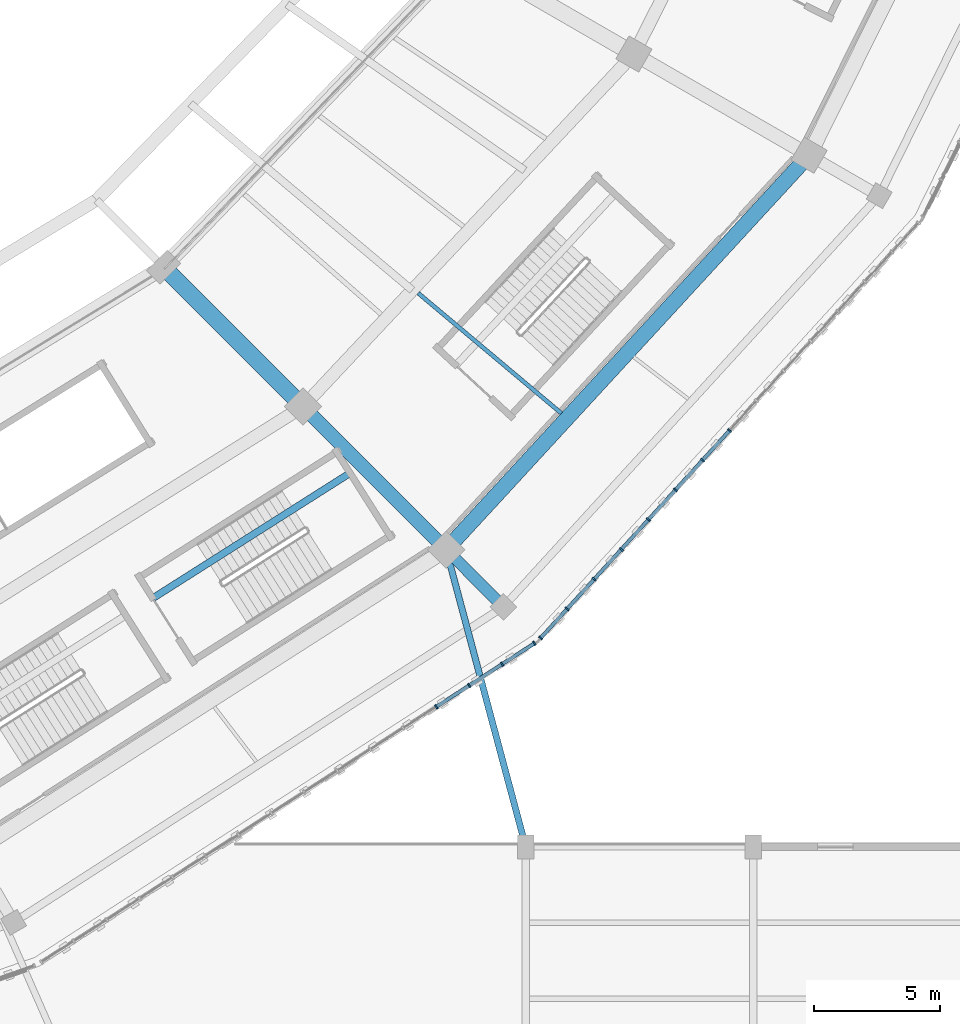
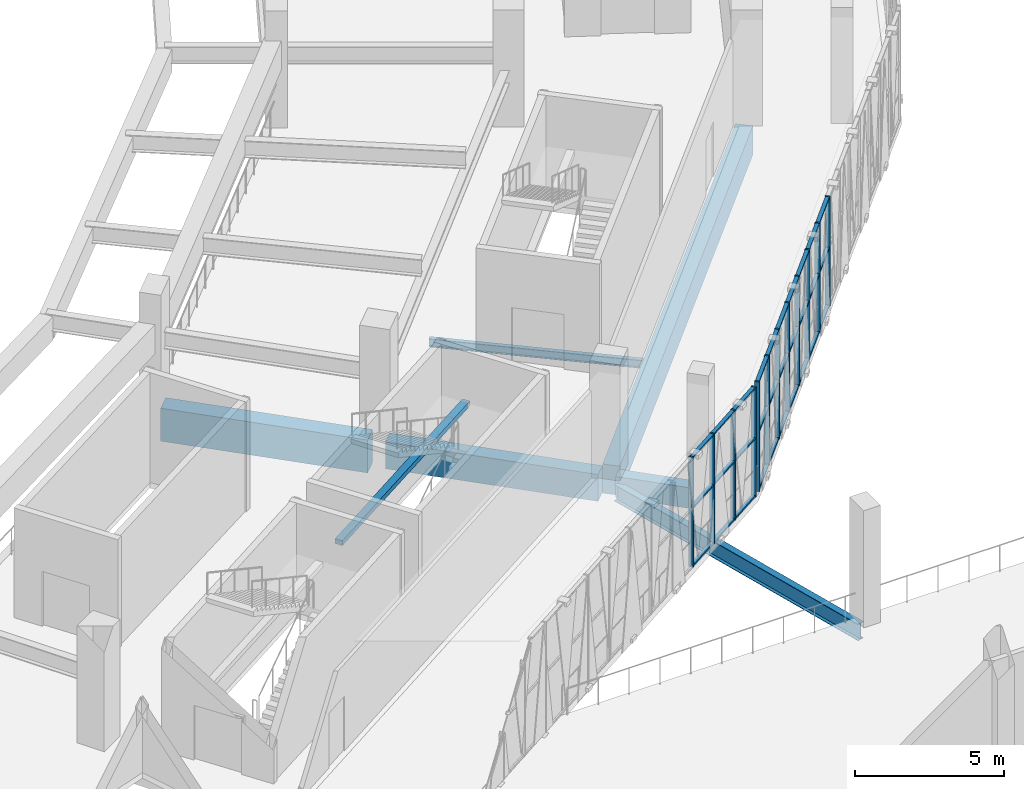
# One storey, part 33 of 179: 42 members, 7 beams, 2 elements without a shape of their own.
"""IFC4 building model written with IfcOpenShell, lengths in metres."""

from ifc_helpers import new_model, si_unit, direction, frame, origin, origin_2d, place, context, subcontext, project, spatial, rectangle, i_section, extrude, material, material_profile, profile_set, type_object, element, aggregate, save


model = new_model("IFC4")

# Units and contexts
model_context = context("Model", 3, precision=1e-05, world=origin(), true_north=direction((0.0, 1.0)))
body_context = subcontext(model_context, "Body", "Model", "MODEL_VIEW")
ifc_project = project(units=[si_unit("LENGTHUNIT", "METRE"), si_unit("AREAUNIT", "SQUARE_METRE"), si_unit("VOLUMEUNIT", "CUBIC_METRE"), si_unit("PLANEANGLEUNIT", "RADIAN"), si_unit("MASSUNIT", "GRAM", prefix="KILO")], contexts=[model_context])

# Site, building, storey
site_placement = place(None, origin())
site = spatial("IfcSite", under=ifc_project, at=site_placement, CompositionType="ELEMENT")
building_placement = place(site_placement, origin())
building = spatial("IfcBuilding", under=site, at=building_placement, Name="Zevraka Park Crest Stadium", CompositionType="ELEMENT")
storey_placement = place(building_placement, frame((0.0, 0.0, 10.199951171875)))
storey = spatial("IfcBuildingStorey", under=building, at=storey_placement, Name="L02", CompositionType="ELEMENT", Elevation=10.199951171875)

# Beams
ifc_material_1 = material(Name="Concrete C40/50", Category="concrete")
ifc_material_profile_1 = material_profile(ifc_material_1, rectangle(XDim=0.64990234375, YDim=1.35009765625, at=origin_2d()), Name="RC 1350x650")
ifc_profile_set_1 = profile_set([ifc_material_profile_1], Name="Concrete C40/50")
beam_type_1 = type_object("IfcBeamType", Name="BG01", PredefinedType="BEAM", material=ifc_profile_set_1)
beam_1_placement = place(storey_placement, frame((164.89111328125, 49.715087890625, -0.68505859375), z_axis=(0.707157639372, -0.707055919343, 0.0), x_axis=(0.707055919343, 0.707157639372, 0.0)))
element("IfcBeam", 1, at=beam_1_placement, inside=storey, type_object=beam_type_1, Name="Radial Girder BG01 L02-BC-21", PredefinedType="BEAM", context=body_context, shape_type="SweptSolid", body=[
    extrude(rectangle(XDim=0.64990234375, YDim=1.35009765625, at=origin_2d()), origin(), (0.0, 0.0, 1.0), 7.200439453125),
])
ifc_material_2 = material(Name="Concrete C40/50", Category="concrete")
ifc_material_profile_2 = material_profile(ifc_material_2, rectangle(XDim=0.550048828125, YDim=1.10009765625, at=origin_2d()), Name="RC 1100x550")
ifc_profile_set_2 = profile_set([ifc_material_profile_2], Name="Concrete C40/50")
beam_type_2 = type_object("IfcBeamType", Name="BG02", PredefinedType="BEAM", material=ifc_profile_set_2)
beam_2_placement = place(storey_placement, frame((170.406982421875, 44.199951171875, -0.56005859375), z_axis=(0.707106781187, -0.707106781187, 0.0), x_axis=(0.707106781187, 0.707106781187, 0.0)))
element("IfcBeam", 2, at=beam_2_placement, inside=storey, type_object=beam_type_2, Name="Radial Girder BG02 L02-CD-21", PredefinedType="BEAM", context=body_context, shape_type="SweptSolid", body=[
    extrude(rectangle(XDim=0.550048828125, YDim=1.10009765625, at=origin_2d()), origin(), (0.0, 0.0, 1.0), 7.400390625),
])
ifc_material_3 = material(Name="Concrete C40/50", Category="concrete")
ifc_material_profile_3 = material_profile(ifc_material_3, rectangle(XDim=0.449951171875, YDim=0.85009765625, at=origin_2d()), Name="RC 850x450")
ifc_profile_set_3 = profile_set([ifc_material_profile_3], Name="Concrete C40/50")
beam_type_3 = type_object("IfcBeamType", Name="BG03", PredefinedType="BEAM", material=ifc_profile_set_3)
beam_3_placement = place(storey_placement, frame((176.06396484375, 38.54296875, -0.43505859375), z_axis=(0.706965918589, -0.707247615728, 0.0), x_axis=(0.707247615728, 0.706965918589, 0.0)))
element("IfcBeam", 3, at=beam_3_placement, inside=storey, type_object=beam_type_3, Name="Radial Girder BG03 L02-DE-21", PredefinedType="BEAM", context=body_context, shape_type="SweptSolid", body=[
    extrude(rectangle(XDim=0.449951171875, YDim=0.85009765625, at=origin_2d()), origin(), (0.0, 0.0, 1.0), 2.60009765625),
])
ifc_material_4 = material(Name="Steel S355", Category="steel")
ifc_material_profile_4 = material_profile(ifc_material_4, i_section(OverallWidth=0.253662109375, OverallDepth=0.68359375, WebThickness=0.012451171875, FlangeThickness=0.01904296875, at=origin_2d()), Name="UKB 686x254x140")
ifc_profile_set_4 = profile_set([ifc_material_profile_4], Name="Steel S355")
beam_type_4 = type_object("IfcBeamType", Name="BG05", PredefinedType="BEAM", material=ifc_profile_set_4)
beam_4_placement = place(storey_placement, frame((178.947998046875, 27.193115234375, -0.629638671875), z_axis=(-0.25869045552, 0.96596027259, 0.0), x_axis=(-0.96596027259, -0.25869045552, 0.0)))
element("IfcBeam", 4, at=beam_4_placement, inside=storey, type_object=beam_type_4, Name="Wing Link Girder BG05 L02-20/D", PredefinedType="BEAM", context=body_context, shape_type="SweptSolid", body=[
    extrude(i_section(OverallWidth=0.253662109375, OverallDepth=0.68359375, WebThickness=0.012451171875, FlangeThickness=0.01904296875, at=origin_2d()), origin(), (0.0, 0.0, 1.0), 11.58935546875),
])

# Curtain wall, members
ifc_material_5 = material(Name="Anodised architectural aluminium and laminated safety glass", Category="aluminium")
curtain_wall_type = type_object("IfcCurtainWallType", Name="CW08", PredefinedType="NOTDEFINED", material=ifc_material_5)
curtain_wall_1_placement = place(storey_placement, origin())
curtain_wall_1 = element("IfcCurtainWall", 5, at=curtain_wall_1_placement, inside=storey, type_object=curtain_wall_type, Name="Unitised Ring Curtain Wall CW08 L02-20", PredefinedType="NOTDEFINED")
ifc_material_6 = material(Name="Anodised architectural aluminium", Category="aluminium")
ifc_material_profile_5 = material_profile(ifc_material_6, rectangle(XDim=0.179931640625, YDim=0.06494140625, at=origin_2d()), Name="ALU MULLION 180x65")
ifc_profile_set_5 = profile_set([ifc_material_profile_5], Name="Anodised architectural aluminium")
member_type_1 = type_object("IfcMemberType", Name="CM02", PredefinedType="MULLION", material=ifc_profile_set_5)
member_1_placement = place(storey_placement, frame((175.459228515625, 32.540771484375, 0.0), z_axis=(0.0, 0.0, 1.0), x_axis=(-0.543096287444, 0.839670424967, 0.0)))
member_1 = element("IfcMember", 6, at=member_1_placement, type_object=member_type_1, Name="CW08 mullion 13", PredefinedType="MULLION", context=body_context, shape_type="SweptSolid", body=[
    extrude(rectangle(XDim=0.179931640625, YDim=0.06494140625, at=origin_2d()), origin(), (0.0, 0.0, 1.0), 4.5),
])
member_2_placement = place(storey_placement, frame((176.76220703125, 33.383544921875, 0.0), z_axis=(0.0, 0.0, 1.0), x_axis=(-0.543096287444, 0.839670424967, 0.0)))
member_2 = element("IfcMember", 7, at=member_2_placement, type_object=member_type_1, Name="CW08 mullion 14", PredefinedType="MULLION", context=body_context, shape_type="SweptSolid", body=[
    extrude(rectangle(XDim=0.179931640625, YDim=0.06494140625, at=origin_2d()), origin(), (0.0, 0.0, 1.0), 4.5),
])
member_3_placement = place(storey_placement, frame((178.065185546875, 34.226318359375, 0.0), z_axis=(0.0, 0.0, 1.0), x_axis=(-0.543096287444, 0.839670424967, 0.0)))
member_3 = element("IfcMember", 8, at=member_3_placement, type_object=member_type_1, Name="CW08 mullion 15", PredefinedType="MULLION", context=body_context, shape_type="SweptSolid", body=[
    extrude(rectangle(XDim=0.179931640625, YDim=0.06494140625, at=origin_2d()), origin(), (0.0, 0.0, 1.0), 4.5),
])
member_4_placement = place(storey_placement, frame((179.3408203125, 35.05126953125, 0.0), z_axis=(0.0, 0.0, 1.0), x_axis=(-0.543096287444, 0.839670424967, 0.0)))
member_4 = element("IfcMember", 9, at=member_4_placement, type_object=member_type_1, Name="CW08 mullion 16", PredefinedType="MULLION", context=body_context, shape_type="SweptSolid", body=[
    extrude(rectangle(XDim=0.179931640625, YDim=0.06494140625, at=origin_2d()), origin(), (0.0, 0.0, 1.0), 4.5),
])

curtain_wall_2_placement = place(storey_placement, origin())
curtain_wall_2 = element("IfcCurtainWall", 10, at=curtain_wall_2_placement, inside=storey, type_object=curtain_wall_type, Name="Unitised Ring Curtain Wall CW08 L02-21", PredefinedType="NOTDEFINED")
member_5_placement = place(storey_placement, frame((179.5859375, 35.259033203125, 0.0), z_axis=(0.0, 0.0, 1.0), x_axis=(-0.739496877097, 0.673159987494, 0.0)))
member_5 = element("IfcMember", 11, at=member_5_placement, type_object=member_type_1, Name="CW08 mullion 1", PredefinedType="MULLION", context=body_context, shape_type="SweptSolid", body=[
    extrude(rectangle(XDim=0.179931640625, YDim=0.06494140625, at=origin_2d()), origin(), (0.0, 0.0, 1.0), 4.5),
])
member_6_placement = place(storey_placement, frame((180.634521484375, 36.4111328125, 0.0), z_axis=(0.0, 0.0, 1.0), x_axis=(-0.739496877097, 0.673159987494, 0.0)))
member_6 = element("IfcMember", 12, at=member_6_placement, type_object=member_type_1, Name="CW08 mullion 2", PredefinedType="MULLION", context=body_context, shape_type="SweptSolid", body=[
    extrude(rectangle(XDim=0.179931640625, YDim=0.06494140625, at=origin_2d()), origin(), (0.0, 0.0, 1.0), 4.5),
])
member_7_placement = place(storey_placement, frame((181.705078125, 37.587158203125, 0.0), z_axis=(0.0, 0.0, 1.0), x_axis=(-0.739496877097, 0.673159987494, 0.0)))
member_7 = element("IfcMember", 13, at=member_7_placement, type_object=member_type_1, Name="CW08 mullion 3", PredefinedType="MULLION", context=body_context, shape_type="SweptSolid", body=[
    extrude(rectangle(XDim=0.179931640625, YDim=0.06494140625, at=origin_2d()), origin(), (0.0, 0.0, 1.0), 4.5),
])
member_8_placement = place(storey_placement, frame((182.775634765625, 38.76318359375, 0.0), z_axis=(0.0, 0.0, 1.0), x_axis=(-0.739496877097, 0.673159987494, 0.0)))
member_8 = element("IfcMember", 14, at=member_8_placement, type_object=member_type_1, Name="CW08 mullion 4", PredefinedType="MULLION", context=body_context, shape_type="SweptSolid", body=[
    extrude(rectangle(XDim=0.179931640625, YDim=0.06494140625, at=origin_2d()), origin(), (0.0, 0.0, 1.0), 4.5),
])
member_9_placement = place(storey_placement, frame((183.84619140625, 39.939208984375, 0.0), z_axis=(0.0, 0.0, 1.0), x_axis=(-0.739496877097, 0.673159987494, 0.0)))
member_9 = element("IfcMember", 15, at=member_9_placement, type_object=member_type_1, Name="CW08 mullion 5", PredefinedType="MULLION", context=body_context, shape_type="SweptSolid", body=[
    extrude(rectangle(XDim=0.179931640625, YDim=0.06494140625, at=origin_2d()), origin(), (0.0, 0.0, 1.0), 4.5),
])
member_10_placement = place(storey_placement, frame((184.916748046875, 41.115478515625, 0.0), z_axis=(0.0, 0.0, 1.0), x_axis=(-0.739496877097, 0.673159987494, 0.0)))
member_10 = element("IfcMember", 16, at=member_10_placement, type_object=member_type_1, Name="CW08 mullion 6", PredefinedType="MULLION", context=body_context, shape_type="SweptSolid", body=[
    extrude(rectangle(XDim=0.179931640625, YDim=0.06494140625, at=origin_2d()), origin(), (0.0, 0.0, 1.0), 4.5),
])
member_11_placement = place(storey_placement, frame((185.987548828125, 42.29150390625, 0.0), z_axis=(0.0, 0.0, 1.0), x_axis=(-0.739496877097, 0.673159987494, 0.0)))
member_11 = element("IfcMember", 17, at=member_11_placement, type_object=member_type_1, Name="CW08 mullion 7", PredefinedType="MULLION", context=body_context, shape_type="SweptSolid", body=[
    extrude(rectangle(XDim=0.179931640625, YDim=0.06494140625, at=origin_2d()), origin(), (0.0, 0.0, 1.0), 4.5),
])
member_12_placement = place(storey_placement, frame((187.05810546875, 43.467529296875, 0.0), z_axis=(0.0, 0.0, 1.0), x_axis=(-0.739496877097, 0.673159987494, 0.0)))
member_12 = element("IfcMember", 18, at=member_12_placement, type_object=member_type_1, Name="CW08 mullion 8", PredefinedType="MULLION", context=body_context, shape_type="SweptSolid", body=[
    extrude(rectangle(XDim=0.179931640625, YDim=0.06494140625, at=origin_2d()), origin(), (0.0, 0.0, 1.0), 4.5),
])

# Member
ifc_material_7 = material(Name="Anodised architectural aluminium", Category="aluminium")
ifc_material_profile_6 = material_profile(ifc_material_7, rectangle(XDim=0.139892578125, YDim=0.06494140625, at=origin_2d()), Name="ALU TRANSOM 140x65")
ifc_profile_set_6 = profile_set([ifc_material_profile_6], Name="Anodised architectural aluminium")
member_type_2 = type_object("IfcMemberType", Name="CT02", PredefinedType="USERDEFINED", material=ifc_profile_set_6)
member_13_placement = place(storey_placement, frame((175.486572265625, 32.558349609375, 0.032470703125), z_axis=(0.839600995064, 0.543203616599, 0.0), x_axis=(-0.543203616599, 0.839600995064, 0.0)))
member_13 = element("IfcMember", 19, at=member_13_placement, type_object=member_type_2, Name="CW08 transom 13.1", ObjectType="TRANSOM", PredefinedType="USERDEFINED", context=body_context, shape_type="SweptSolid", body=[
    extrude(rectangle(XDim=0.139892578125, YDim=0.06494140625, at=origin_2d()), origin(), (0.0, 0.0, 1.0), 1.48681640625),
])

member_14_placement = place(storey_placement, frame((175.486572265625, 32.558349609375, 2.400146484375), z_axis=(0.839600995064, 0.543203616599, 0.0), x_axis=(-0.543203616599, 0.839600995064, 0.0)))
member_14 = element("IfcMember", 20, at=member_14_placement, type_object=member_type_2, Name="CW08 transom 13.2", ObjectType="TRANSOM", PredefinedType="USERDEFINED", context=body_context, shape_type="SweptSolid", body=[
    extrude(rectangle(XDim=0.139892578125, YDim=0.06494140625, at=origin_2d()), origin(), (0.0, 0.0, 1.0), 1.48681640625),
])

member_15_placement = place(storey_placement, frame((175.486572265625, 32.558349609375, 4.467529296875), z_axis=(0.839600995064, 0.543203616599, 0.0), x_axis=(-0.543203616599, 0.839600995064, 0.0)))
member_15 = element("IfcMember", 21, at=member_15_placement, type_object=member_type_2, Name="CW08 transom 13.3", ObjectType="TRANSOM", PredefinedType="USERDEFINED", context=body_context, shape_type="SweptSolid", body=[
    extrude(rectangle(XDim=0.139892578125, YDim=0.06494140625, at=origin_2d()), origin(), (0.0, 0.0, 1.0), 1.48681640625),
])

member_16_placement = place(storey_placement, frame((176.789306640625, 33.401123046875, 0.032470703125), z_axis=(0.839724312152, 0.543012964468, 0.0), x_axis=(-0.543012964468, 0.839724312152, 0.0)))
member_16 = element("IfcMember", 22, at=member_16_placement, type_object=member_type_2, Name="CW08 transom 14.1", ObjectType="TRANSOM", PredefinedType="USERDEFINED", context=body_context, shape_type="SweptSolid", body=[
    extrude(rectangle(XDim=0.139892578125, YDim=0.06494140625, at=origin_2d()), origin(), (0.0, 0.0, 1.0), 1.48681640625),
])

member_17_placement = place(storey_placement, frame((176.789306640625, 33.401123046875, 2.400146484375), z_axis=(0.839724312152, 0.543012964468, 0.0), x_axis=(-0.543012964468, 0.839724312152, 0.0)))
member_17 = element("IfcMember", 23, at=member_17_placement, type_object=member_type_2, Name="CW08 transom 14.2", ObjectType="TRANSOM", PredefinedType="USERDEFINED", context=body_context, shape_type="SweptSolid", body=[
    extrude(rectangle(XDim=0.139892578125, YDim=0.06494140625, at=origin_2d()), origin(), (0.0, 0.0, 1.0), 1.48681640625),
])

member_18_placement = place(storey_placement, frame((176.789306640625, 33.401123046875, 4.467529296875), z_axis=(0.839724312152, 0.543012964468, 0.0), x_axis=(-0.543012964468, 0.839724312152, 0.0)))
member_18 = element("IfcMember", 24, at=member_18_placement, type_object=member_type_2, Name="CW08 transom 14.3", ObjectType="TRANSOM", PredefinedType="USERDEFINED", context=body_context, shape_type="SweptSolid", body=[
    extrude(rectangle(XDim=0.139892578125, YDim=0.06494140625, at=origin_2d()), origin(), (0.0, 0.0, 1.0), 1.48681640625),
])

member_19_placement = place(storey_placement, frame((178.09228515625, 34.243896484375, 0.032470703125), z_axis=(0.839691740377, 0.543063330692, 0.0), x_axis=(-0.543063330692, 0.839691740377, 0.0)))
member_19 = element("IfcMember", 25, at=member_19_placement, type_object=member_type_2, Name="CW08 transom 15.1", ObjectType="TRANSOM", PredefinedType="USERDEFINED", context=body_context, shape_type="SweptSolid", body=[
    extrude(rectangle(XDim=0.139892578125, YDim=0.06494140625, at=origin_2d()), origin(), (0.0, 0.0, 1.0), 1.454345703125),
])

member_20_placement = place(storey_placement, frame((178.09228515625, 34.243896484375, 2.400146484375), z_axis=(0.839691740377, 0.543063330692, 0.0), x_axis=(-0.543063330692, 0.839691740377, 0.0)))
member_20 = element("IfcMember", 26, at=member_20_placement, type_object=member_type_2, Name="CW08 transom 15.2", ObjectType="TRANSOM", PredefinedType="USERDEFINED", context=body_context, shape_type="SweptSolid", body=[
    extrude(rectangle(XDim=0.139892578125, YDim=0.06494140625, at=origin_2d()), origin(), (0.0, 0.0, 1.0), 1.454345703125),
])

member_21_placement = place(storey_placement, frame((178.09228515625, 34.243896484375, 4.467529296875), z_axis=(0.839691740377, 0.543063330692, 0.0), x_axis=(-0.543063330692, 0.839691740377, 0.0)))
member_21 = element("IfcMember", 27, at=member_21_placement, type_object=member_type_2, Name="CW08 transom 15.3", ObjectType="TRANSOM", PredefinedType="USERDEFINED", context=body_context, shape_type="SweptSolid", body=[
    extrude(rectangle(XDim=0.139892578125, YDim=0.06494140625, at=origin_2d()), origin(), (0.0, 0.0, 1.0), 1.454345703125),
])

aggregate(curtain_wall_1, [member_1, member_2, member_3, member_4, member_13, member_14, member_15, member_16, member_17, member_18, member_19, member_20, member_21])

member_22_placement = place(storey_placement, frame((179.607666015625, 35.282958984375, 0.032470703125), z_axis=(0.673217929556, 0.739444128602, 0.0), x_axis=(-0.739444128602, 0.673217929556, 0.0)))
member_22 = element("IfcMember", 28, at=member_22_placement, type_object=member_type_2, Name="CW08 transom 1.1", ObjectType="TRANSOM", PredefinedType="USERDEFINED", context=body_context, shape_type="SweptSolid", body=[
    extrude(rectangle(XDim=0.139892578125, YDim=0.06494140625, at=origin_2d()), origin(), (0.0, 0.0, 1.0), 1.492919921875),
])

member_23_placement = place(storey_placement, frame((179.607666015625, 35.282958984375, 2.400146484375), z_axis=(0.673217929556, 0.739444128602, 0.0), x_axis=(-0.739444128602, 0.673217929556, 0.0)))
member_23 = element("IfcMember", 29, at=member_23_placement, type_object=member_type_2, Name="CW08 transom 1.2", ObjectType="TRANSOM", PredefinedType="USERDEFINED", context=body_context, shape_type="SweptSolid", body=[
    extrude(rectangle(XDim=0.139892578125, YDim=0.06494140625, at=origin_2d()), origin(), (0.0, 0.0, 1.0), 1.492919921875),
])

member_24_placement = place(storey_placement, frame((179.607666015625, 35.282958984375, 4.467529296875), z_axis=(0.673217929556, 0.739444128602, 0.0), x_axis=(-0.739444128602, 0.673217929556, 0.0)))
member_24 = element("IfcMember", 30, at=member_24_placement, type_object=member_type_2, Name="CW08 transom 1.3", ObjectType="TRANSOM", PredefinedType="USERDEFINED", context=body_context, shape_type="SweptSolid", body=[
    extrude(rectangle(XDim=0.139892578125, YDim=0.06494140625, at=origin_2d()), origin(), (0.0, 0.0, 1.0), 1.492919921875),
])

member_25_placement = place(storey_placement, frame((180.656494140625, 36.43505859375, 0.032470703125), z_axis=(0.673198421242, 0.739461889239, 0.0), x_axis=(-0.739461889239, 0.673198421242, 0.0)))
member_25 = element("IfcMember", 31, at=member_25_placement, type_object=member_type_2, Name="CW08 transom 2.1", ObjectType="TRANSOM", PredefinedType="USERDEFINED", context=body_context, shape_type="SweptSolid", body=[
    extrude(rectangle(XDim=0.139892578125, YDim=0.06494140625, at=origin_2d()), origin(), (0.0, 0.0, 1.0), 1.525390625),
])

member_26_placement = place(storey_placement, frame((180.656494140625, 36.43505859375, 2.400146484375), z_axis=(0.673198421242, 0.739461889239, 0.0), x_axis=(-0.739461889239, 0.673198421242, 0.0)))
member_26 = element("IfcMember", 32, at=member_26_placement, type_object=member_type_2, Name="CW08 transom 2.2", ObjectType="TRANSOM", PredefinedType="USERDEFINED", context=body_context, shape_type="SweptSolid", body=[
    extrude(rectangle(XDim=0.139892578125, YDim=0.06494140625, at=origin_2d()), origin(), (0.0, 0.0, 1.0), 1.525390625),
])

member_27_placement = place(storey_placement, frame((180.656494140625, 36.43505859375, 4.467529296875), z_axis=(0.673198421242, 0.739461889239, 0.0), x_axis=(-0.739461889239, 0.673198421242, 0.0)))
member_27 = element("IfcMember", 33, at=member_27_placement, type_object=member_type_2, Name="CW08 transom 2.3", ObjectType="TRANSOM", PredefinedType="USERDEFINED", context=body_context, shape_type="SweptSolid", body=[
    extrude(rectangle(XDim=0.139892578125, YDim=0.06494140625, at=origin_2d()), origin(), (0.0, 0.0, 1.0), 1.525390625),
])

member_28_placement = place(storey_placement, frame((181.72705078125, 37.611083984375, 0.032470703125), z_axis=(0.673118749814, 0.739534413431, 0.0), x_axis=(-0.739534413431, 0.673118749814, 0.0)))
member_28 = element("IfcMember", 34, at=member_28_placement, type_object=member_type_2, Name="CW08 transom 3.1", ObjectType="TRANSOM", PredefinedType="USERDEFINED", context=body_context, shape_type="SweptSolid", body=[
    extrude(rectangle(XDim=0.139892578125, YDim=0.06494140625, at=origin_2d()), origin(), (0.0, 0.0, 1.0), 1.525634765625),
])

member_29_placement = place(storey_placement, frame((181.72705078125, 37.611083984375, 2.400146484375), z_axis=(0.673118749814, 0.739534413431, 0.0), x_axis=(-0.739534413431, 0.673118749814, 0.0)))
member_29 = element("IfcMember", 35, at=member_29_placement, type_object=member_type_2, Name="CW08 transom 3.2", ObjectType="TRANSOM", PredefinedType="USERDEFINED", context=body_context, shape_type="SweptSolid", body=[
    extrude(rectangle(XDim=0.139892578125, YDim=0.06494140625, at=origin_2d()), origin(), (0.0, 0.0, 1.0), 1.525634765625),
])

member_30_placement = place(storey_placement, frame((181.72705078125, 37.611083984375, 4.467529296875), z_axis=(0.673118749814, 0.739534413431, 0.0), x_axis=(-0.739534413431, 0.673118749814, 0.0)))
member_30 = element("IfcMember", 36, at=member_30_placement, type_object=member_type_2, Name="CW08 transom 3.3", ObjectType="TRANSOM", PredefinedType="USERDEFINED", context=body_context, shape_type="SweptSolid", body=[
    extrude(rectangle(XDim=0.139892578125, YDim=0.06494140625, at=origin_2d()), origin(), (0.0, 0.0, 1.0), 1.525634765625),
])

member_31_placement = place(storey_placement, frame((182.797607421875, 38.787353515625, 0.032470703125), z_axis=(0.673198421242, 0.739461889239, 0.0), x_axis=(-0.739461889239, 0.673198421242, 0.0)))
member_31 = element("IfcMember", 37, at=member_31_placement, type_object=member_type_2, Name="CW08 transom 4.1", ObjectType="TRANSOM", PredefinedType="USERDEFINED", context=body_context, shape_type="SweptSolid", body=[
    extrude(rectangle(XDim=0.139892578125, YDim=0.06494140625, at=origin_2d()), origin(), (0.0, 0.0, 1.0), 1.525390625),
])

member_32_placement = place(storey_placement, frame((182.797607421875, 38.787353515625, 2.400146484375), z_axis=(0.673198421242, 0.739461889239, 0.0), x_axis=(-0.739461889239, 0.673198421242, 0.0)))
member_32 = element("IfcMember", 38, at=member_32_placement, type_object=member_type_2, Name="CW08 transom 4.2", ObjectType="TRANSOM", PredefinedType="USERDEFINED", context=body_context, shape_type="SweptSolid", body=[
    extrude(rectangle(XDim=0.139892578125, YDim=0.06494140625, at=origin_2d()), origin(), (0.0, 0.0, 1.0), 1.525390625),
])

member_33_placement = place(storey_placement, frame((182.797607421875, 38.787353515625, 4.467529296875), z_axis=(0.673198421242, 0.739461889239, 0.0), x_axis=(-0.739461889239, 0.673198421242, 0.0)))
member_33 = element("IfcMember", 39, at=member_33_placement, type_object=member_type_2, Name="CW08 transom 4.3", ObjectType="TRANSOM", PredefinedType="USERDEFINED", context=body_context, shape_type="SweptSolid", body=[
    extrude(rectangle(XDim=0.139892578125, YDim=0.06494140625, at=origin_2d()), origin(), (0.0, 0.0, 1.0), 1.525390625),
])

member_34_placement = place(storey_placement, frame((183.8681640625, 39.96337890625, 0.032470703125), z_axis=(0.673198421242, 0.739461889239, 0.0), x_axis=(-0.739461889239, 0.673198421242, 0.0)))
member_34 = element("IfcMember", 40, at=member_34_placement, type_object=member_type_2, Name="CW08 transom 5.1", ObjectType="TRANSOM", PredefinedType="USERDEFINED", context=body_context, shape_type="SweptSolid", body=[
    extrude(rectangle(XDim=0.139892578125, YDim=0.06494140625, at=origin_2d()), origin(), (0.0, 0.0, 1.0), 1.525390625),
])

member_35_placement = place(storey_placement, frame((183.8681640625, 39.96337890625, 2.400146484375), z_axis=(0.673198421242, 0.739461889239, 0.0), x_axis=(-0.739461889239, 0.673198421242, 0.0)))
member_35 = element("IfcMember", 41, at=member_35_placement, type_object=member_type_2, Name="CW08 transom 5.2", ObjectType="TRANSOM", PredefinedType="USERDEFINED", context=body_context, shape_type="SweptSolid", body=[
    extrude(rectangle(XDim=0.139892578125, YDim=0.06494140625, at=origin_2d()), origin(), (0.0, 0.0, 1.0), 1.525390625),
])

member_36_placement = place(storey_placement, frame((183.8681640625, 39.96337890625, 4.467529296875), z_axis=(0.673198421242, 0.739461889239, 0.0), x_axis=(-0.739461889239, 0.673198421242, 0.0)))
member_36 = element("IfcMember", 42, at=member_36_placement, type_object=member_type_2, Name="CW08 transom 5.3", ObjectType="TRANSOM", PredefinedType="USERDEFINED", context=body_context, shape_type="SweptSolid", body=[
    extrude(rectangle(XDim=0.139892578125, YDim=0.06494140625, at=origin_2d()), origin(), (0.0, 0.0, 1.0), 1.525390625),
])

member_37_placement = place(storey_placement, frame((184.938720703125, 41.139404296875, 0.032470703125), z_axis=(0.673198421242, 0.739461889239, 0.0), x_axis=(-0.739461889239, 0.673198421242, 0.0)))
member_37 = element("IfcMember", 43, at=member_37_placement, type_object=member_type_2, Name="CW08 transom 6.1", ObjectType="TRANSOM", PredefinedType="USERDEFINED", context=body_context, shape_type="SweptSolid", body=[
    extrude(rectangle(XDim=0.139892578125, YDim=0.06494140625, at=origin_2d()), origin(), (0.0, 0.0, 1.0), 1.525390625),
])

member_38_placement = place(storey_placement, frame((184.938720703125, 41.139404296875, 2.400146484375), z_axis=(0.673198421242, 0.739461889239, 0.0), x_axis=(-0.739461889239, 0.673198421242, 0.0)))
member_38 = element("IfcMember", 44, at=member_38_placement, type_object=member_type_2, Name="CW08 transom 6.2", ObjectType="TRANSOM", PredefinedType="USERDEFINED", context=body_context, shape_type="SweptSolid", body=[
    extrude(rectangle(XDim=0.139892578125, YDim=0.06494140625, at=origin_2d()), origin(), (0.0, 0.0, 1.0), 1.525390625),
])

member_39_placement = place(storey_placement, frame((184.938720703125, 41.139404296875, 4.467529296875), z_axis=(0.673198421242, 0.739461889239, 0.0), x_axis=(-0.739461889239, 0.673198421242, 0.0)))
member_39 = element("IfcMember", 45, at=member_39_placement, type_object=member_type_2, Name="CW08 transom 6.3", ObjectType="TRANSOM", PredefinedType="USERDEFINED", context=body_context, shape_type="SweptSolid", body=[
    extrude(rectangle(XDim=0.139892578125, YDim=0.06494140625, at=origin_2d()), origin(), (0.0, 0.0, 1.0), 1.525390625),
])

member_40_placement = place(storey_placement, frame((186.00927734375, 42.3154296875, 0.032470703125), z_axis=(0.673198421242, 0.739461889239, 0.0), x_axis=(-0.739461889239, 0.673198421242, 0.0)))
member_40 = element("IfcMember", 46, at=member_40_placement, type_object=member_type_2, Name="CW08 transom 7.1", ObjectType="TRANSOM", PredefinedType="USERDEFINED", context=body_context, shape_type="SweptSolid", body=[
    extrude(rectangle(XDim=0.139892578125, YDim=0.06494140625, at=origin_2d()), origin(), (0.0, 0.0, 1.0), 1.525390625),
])

member_41_placement = place(storey_placement, frame((186.00927734375, 42.3154296875, 2.400146484375), z_axis=(0.673198421242, 0.739461889239, 0.0), x_axis=(-0.739461889239, 0.673198421242, 0.0)))
member_41 = element("IfcMember", 47, at=member_41_placement, type_object=member_type_2, Name="CW08 transom 7.2", ObjectType="TRANSOM", PredefinedType="USERDEFINED", context=body_context, shape_type="SweptSolid", body=[
    extrude(rectangle(XDim=0.139892578125, YDim=0.06494140625, at=origin_2d()), origin(), (0.0, 0.0, 1.0), 1.525390625),
])

member_42_placement = place(storey_placement, frame((186.00927734375, 42.3154296875, 4.467529296875), z_axis=(0.673198421242, 0.739461889239, 0.0), x_axis=(-0.739461889239, 0.673198421242, 0.0)))
member_42 = element("IfcMember", 48, at=member_42_placement, type_object=member_type_2, Name="CW08 transom 7.3", ObjectType="TRANSOM", PredefinedType="USERDEFINED", context=body_context, shape_type="SweptSolid", body=[
    extrude(rectangle(XDim=0.139892578125, YDim=0.06494140625, at=origin_2d()), origin(), (0.0, 0.0, 1.0), 1.525390625),
])

aggregate(curtain_wall_2, [member_5, member_6, member_7, member_8, member_9, member_10, member_11, member_12, member_22, member_23, member_24, member_25, member_26, member_27, member_28, member_29, member_30, member_31, member_32, member_33, member_34, member_35, member_36, member_37, member_38, member_39, member_40, member_41, member_42])

# Beams
ifc_material_8 = material(Name="Concrete C40/50", Category="concrete")
ifc_material_profile_7 = material_profile(ifc_material_8, rectangle(XDim=0.60009765625, YDim=1.199951171875, at=origin_2d()), Name="RC 1200x600")
ifc_profile_set_7 = profile_set([ifc_material_profile_7], Name="Concrete C40/50")
beam_type_5 = type_object("IfcBeamType", Name="RB01", PredefinedType="BEAM", material=ifc_profile_set_7)
beam_5_placement = place(storey_placement, frame((176.10888671875, 39.034912109375, -0.60986328125), z_axis=(0.677158252403, 0.735837414924, 0.0), x_axis=(-0.735837414924, 0.677158252403, 0.0)))
element("IfcBeam", 49, at=beam_5_placement, inside=storey, type_object=beam_type_5, Name="Ring Beam RB01 L02-D-21", PredefinedType="BEAM", context=body_context, shape_type="SweptSolid", body=[
    extrude(rectangle(XDim=0.60009765625, YDim=1.199951171875, at=origin_2d()), origin(), (0.0, 0.0, 1.0), 20.4326171875),
])
ifc_material_9 = material(Name="Steel S355", Category="steel")
ifc_material_profile_8 = material_profile(ifc_material_9, i_section(OverallWidth=0.159912109375, OverallDepth=0.330078125, WebThickness=0.007568359375, FlangeThickness=0.011474609375, at=origin_2d()), Name="IPE 330")
ifc_profile_set_8 = profile_set([ifc_material_profile_8], Name="Steel S355")
beam_type_6 = type_object("IfcBeamType", Name="SJ08", PredefinedType="JOIST", material=ifc_profile_set_8)
beam_6_placement = place(storey_placement, frame((174.741943359375, 48.89990234375, -0.452880859375), z_axis=(0.765933630726, -0.642919647642, 0.0), x_axis=(0.642919647642, 0.765933630726, 0.0)))
element("IfcBeam", 50, at=beam_6_placement, inside=storey, type_object=beam_type_6, Name="Floor Joist SJ08 L02-CD-21-1", PredefinedType="JOIST", context=body_context, shape_type="SweptSolid", body=[
    extrude(i_section(OverallWidth=0.159912109375, OverallDepth=0.330078125, WebThickness=0.007568359375, FlangeThickness=0.011474609375, at=origin_2d()), origin(), (0.0, 0.0, 1.0), 7.398681640625),
])
ifc_material_10 = material(Name="Concrete C40/50", Category="concrete")
ifc_material_profile_9 = material_profile(ifc_material_10, rectangle(XDim=0.280029296875, YDim=0.199951171875, at=origin_2d()), Name="RC 200x280")
ifc_profile_set_9 = profile_set([ifc_material_profile_9], Name="Concrete C40/50")
beam_type_7 = type_object("IfcBeamType", Name="SJ13", PredefinedType="JOIST", material=ifc_profile_set_9)
beam_7_placement = place(storey_placement, frame((164.2705078125, 36.844482421875, 2.300048828125), z_axis=(0.844396466688, 0.53571877608, 0.0), x_axis=(-0.53571877608, 0.844396466688, 0.0)))
element("IfcBeam", 51, at=beam_7_placement, inside=storey, type_object=beam_type_7, Name="Stair Upper-Flight Longitudinal Stringer SJ13 ST32-L02", PredefinedType="JOIST", context=body_context, shape_type="SweptSolid", body=[
    extrude(rectangle(XDim=0.280029296875, YDim=0.199951171875, at=origin_2d()), origin(), (0.0, 0.0, 1.0), 9.249755859375),
])

save(model, "model.ifc")
